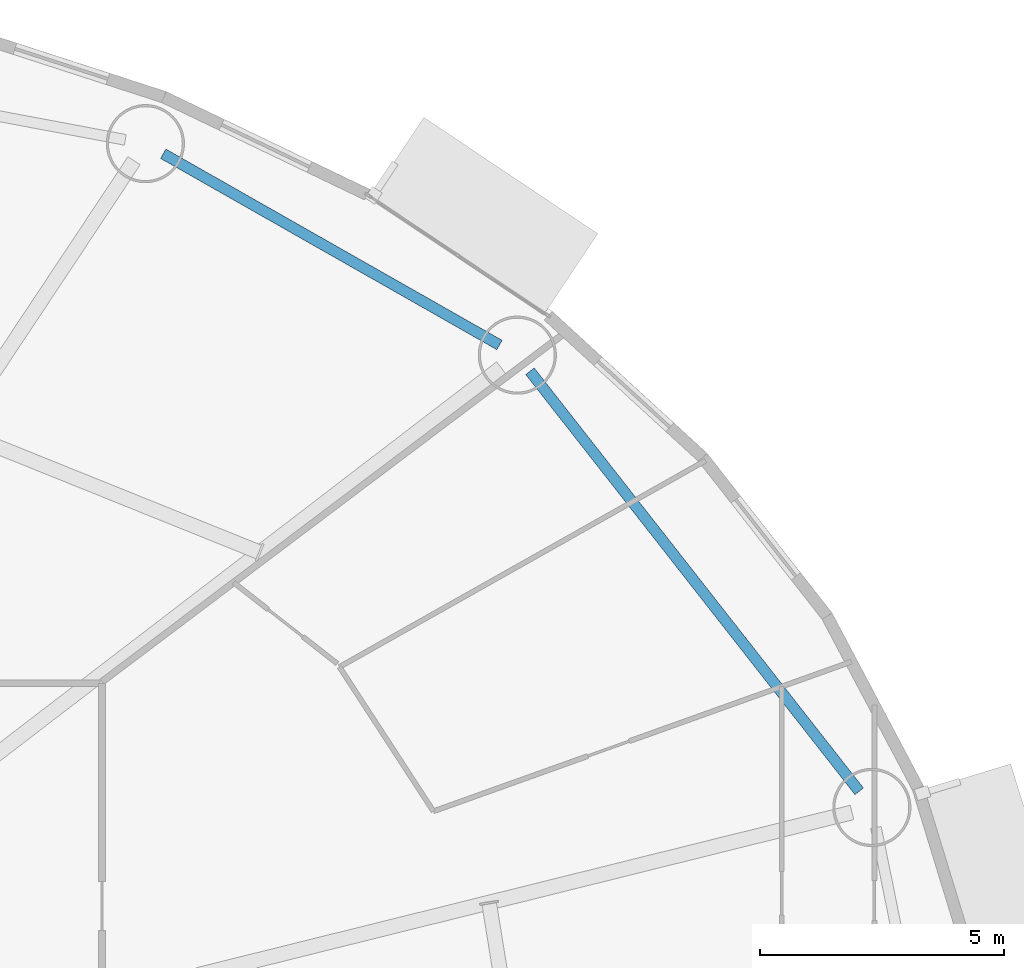
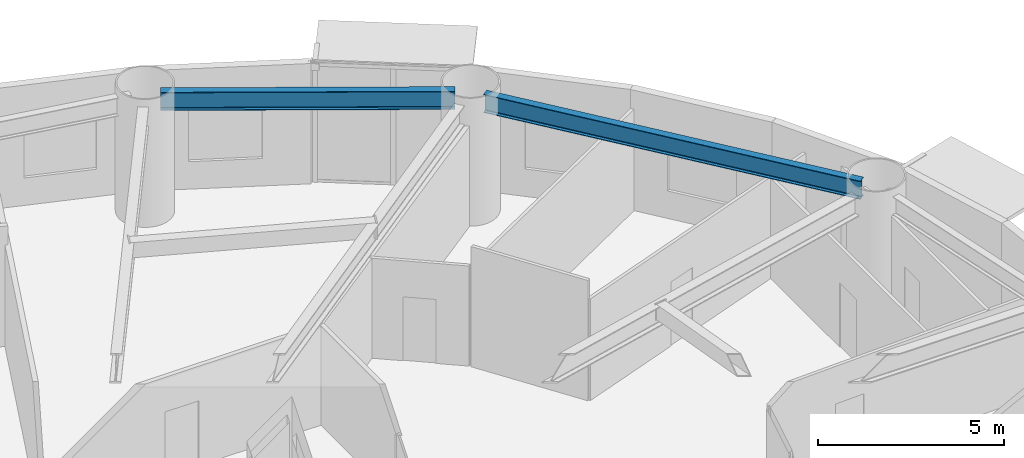
# One storey, part 4 of 24: 2 beams.
"""IFC4 building model written with IfcOpenShell, lengths in metres."""

from ifc_helpers import new_model, si_unit, direction, frame, origin, origin_2d, place, context, subcontext, project, spatial, i_section, extrude, material, material_profile, profile_set, type_object, element, save


model = new_model("IFC4")

# Units and contexts
model_context = context("Model", 3, precision=1e-05, world=origin(), true_north=direction((0.0, 1.0)))
body_context = subcontext(model_context, "Body", "Model", "MODEL_VIEW")
ifc_project = project(units=[si_unit("LENGTHUNIT", "METRE"), si_unit("AREAUNIT", "SQUARE_METRE"), si_unit("VOLUMEUNIT", "CUBIC_METRE"), si_unit("PLANEANGLEUNIT", "RADIAN"), si_unit("MASSUNIT", "GRAM", prefix="KILO")], contexts=[model_context])

# Site, building, storey
site_placement = place(None, origin())
site = spatial("IfcSite", under=ifc_project, at=site_placement, CompositionType="ELEMENT")
building_placement = place(site_placement, origin())
building = spatial("IfcBuilding", under=site, at=building_placement, Name="Linh Dai School and Residence Tower", CompositionType="ELEMENT")
storey_placement = place(building_placement, frame((0.0, 0.0, 70.199951171875)))
storey = spatial("IfcBuildingStorey", under=building, at=storey_placement, Name="L16", CompositionType="ELEMENT", Elevation=70.199951171875)

# Beams
ifc_material = material(Name="Structural Steel S355JR", Category="steel")
ifc_material_profile = material_profile(ifc_material, i_section(OverallWidth=0.219970703125, OverallDepth=0.60009765625, WebThickness=0.011962890625, FlangeThickness=0.01904296875, FilletRadius=0.02392578125, at=origin_2d()), Name="IPE 600")
ifc_profile_set = profile_set([ifc_material_profile], Name="Structural Steel S355JR")
beam_type = type_object("IfcBeamType", Name="BM-RB60", PredefinedType="BEAM", material=ifc_profile_set)
beam_1_placement = place(storey_placement, frame((64.351806640625, 34.439208984375, 3.650146484375), z_axis=(-0.616878670407, 0.787058260866, 0.0), x_axis=(-0.787058260866, -0.616878670407, 0.0)))
element("IfcBeam", 1, at=beam_1_placement, inside=storey, type_object=beam_type, Name="L16 Perimeter Elliptical Ring Beam 02", PredefinedType="BEAM", context=body_context, shape_type="SweptSolid", body=[
    extrude(i_section(OverallWidth=0.219970703125, OverallDepth=0.60009765625, WebThickness=0.011962890625, FlangeThickness=0.01904296875, FilletRadius=0.02392578125, at=origin_2d()), origin(), (0.0, 0.0, 1.0), 10.926025390625),
])
beam_2_placement = place(storey_placement, frame((56.987548828125, 43.57666015625, 3.650146484375), z_axis=(-0.869271416992, 0.494335112653, 0.0), x_axis=(-0.494335112653, -0.869271416992, 0.0)))
element("IfcBeam", 2, at=beam_2_placement, inside=storey, type_object=beam_type, Name="L16 Perimeter Elliptical Ring Beam 03", PredefinedType="BEAM", context=body_context, shape_type="SweptSolid", body=[
    extrude(i_section(OverallWidth=0.219970703125, OverallDepth=0.60009765625, WebThickness=0.011962890625, FlangeThickness=0.01904296875, FilletRadius=0.02392578125, at=origin_2d()), origin(), (0.0, 0.0, 1.0), 7.91943359375),
])

save(model, "model.ifc")
